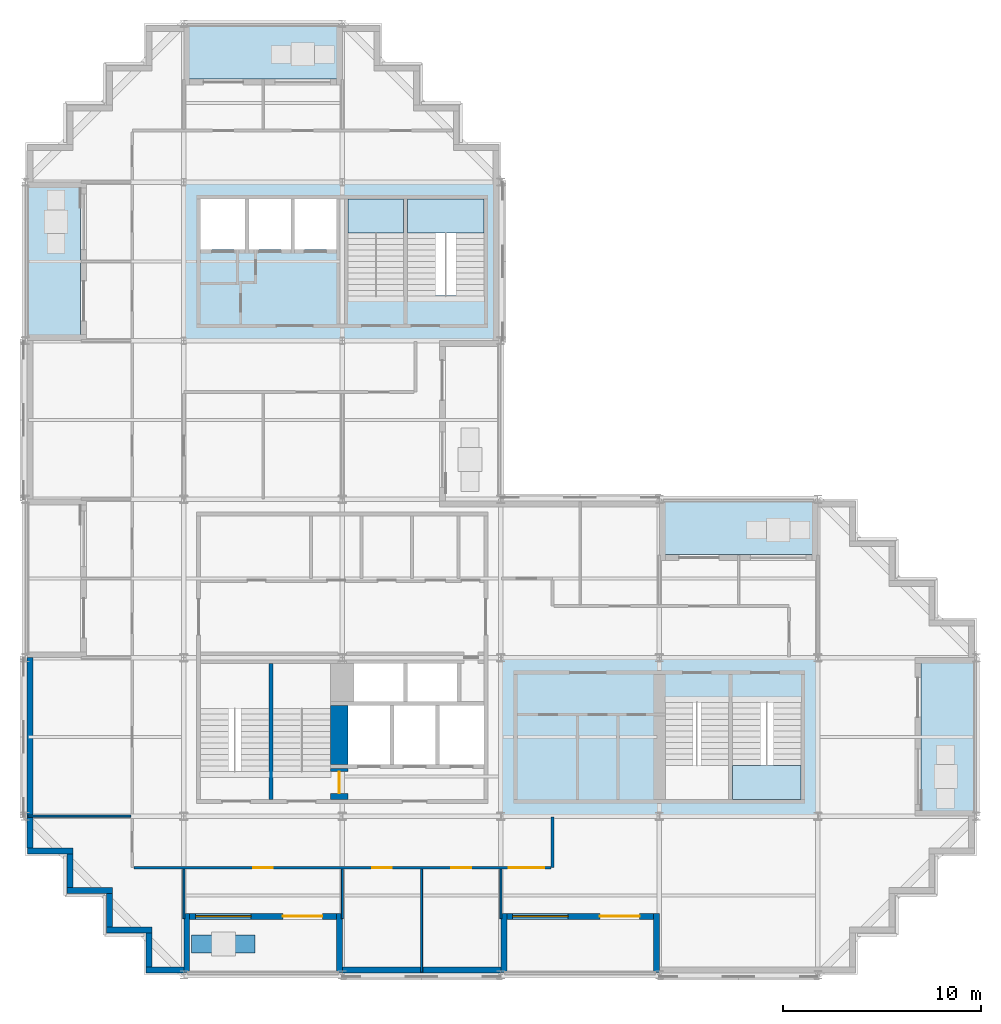
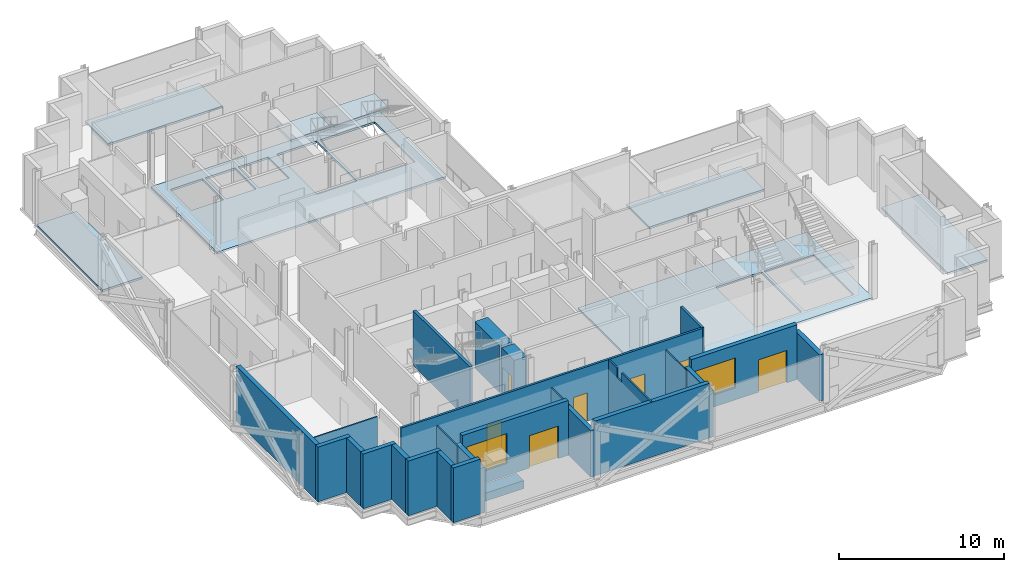
# One storey, part 4 of 13: 26 walls, 9 slabs, 7 doors, 2 windows, 9 openings, 3 elements without a shape of their own.
"""IFC4 building model written with IfcOpenShell, lengths in metres."""

from ifc_helpers import new_model, si_unit, direction, frame, frame_2d, origin, place, context, subcontext, project, spatial, polyline, rectangle, outline, extrude, material, layer, layer_set, type_object, element, fill, aggregate, save


model = new_model("IFC4")

# Units and contexts
model_context = context("Model", 3, precision=1e-05, world=origin(), true_north=direction((0.0, 1.0)))
body_context = subcontext(model_context, "Body", "Model", "MODEL_VIEW")
ifc_project = project(units=[si_unit("LENGTHUNIT", "METRE"), si_unit("AREAUNIT", "SQUARE_METRE"), si_unit("VOLUMEUNIT", "CUBIC_METRE"), si_unit("PLANEANGLEUNIT", "RADIAN"), si_unit("MASSUNIT", "GRAM", prefix="KILO")], contexts=[model_context])

# Site, building, storey
site_placement = place(None, origin())
site = spatial("IfcSite", under=ifc_project, at=site_placement, CompositionType="ELEMENT")
building_placement = place(site_placement, origin())
building = spatial("IfcBuilding", under=site, at=building_placement, Name="Immortelle Media Tower", CompositionType="ELEMENT")
storey_placement = place(building_placement, frame((0.0, 0.0, 174.60009765625)))
storey = spatial("IfcBuildingStorey", under=building, at=storey_placement, Name="L36", CompositionType="ELEMENT", Elevation=174.60009765625)

# Slabs
ifc_material_1 = material(Name="Concrete C50/60 composite deck", Category="concrete")
ifc_layer_1 = layer(ifc_material_1, 0.14990234375)
ifc_layer_set_1 = layer_set([ifc_layer_1], Name="Concrete C50/60 composite deck")
slab_type_1 = type_object("IfcSlabType", Name="Balcony slab 150", PredefinedType="FLOOR", material=ifc_layer_set_1)
slab_1_placement = place(storey_placement, frame((0.0, 0.0, -0.150146484375)))
element("IfcSlab", 1, at=slab_1_placement, inside=storey, type_object=slab_type_1, Name="Balcony slab L36 E0", PredefinedType="FLOOR", context=body_context, shape_type="SweptSolid", body=[
    extrude(outline(polyline([(48.0, 8.0), (48.0, 16.0), (45.199951171875, 16.0), (45.199951171875, 8.0), (48.0, 8.0)])), origin(), (0.0, 0.0, 1.0), 0.150146484375),
])
slab_2_placement = place(storey_placement, frame((0.0, 0.0, -0.150146484375)))
element("IfcSlab", 2, at=slab_2_placement, inside=storey, type_object=slab_type_1, Name="Balcony slab L36 N0", PredefinedType="FLOOR", context=body_context, shape_type="SweptSolid", body=[
    extrude(outline(polyline([(40.0, 21.199951171875), (40.0, 24.0), (32.0, 24.0), (32.0, 21.199951171875), (40.0, 21.199951171875)])), origin(), (0.0, 0.0, 1.0), 0.150146484375),
])
slab_3_placement = place(storey_placement, frame((0.0, 0.0, -0.150146484375)))
element("IfcSlab", 3, at=slab_3_placement, inside=storey, type_object=slab_type_1, Name="Balcony slab L36 N0", PredefinedType="FLOOR", context=body_context, shape_type="SweptSolid", body=[
    extrude(outline(polyline([(16.0, 45.199951171875), (16.0, 48.0), (8.0, 48.0), (8.0, 45.199951171875), (16.0, 45.199951171875)])), origin(), (0.0, 0.0, 1.0), 0.150146484375),
])
slab_4_placement = place(storey_placement, frame((0.0, 0.0, -0.150146484375)))
element("IfcSlab", 4, at=slab_4_placement, inside=storey, type_object=slab_type_1, Name="Balcony slab L36 W0", PredefinedType="FLOOR", context=body_context, shape_type="SweptSolid", body=[
    extrude(outline(polyline([(2.800048828125, 32.0), (2.800048828125, 40.0), (0.0, 40.0), (0.0, 32.0), (2.800048828125, 32.0)])), origin(), (0.0, 0.0, 1.0), 0.150146484375),
])
ifc_material_2 = material(Name="Concrete C50/60", Category="concrete")
ifc_layer_2 = layer(ifc_material_2, 0.14990234375)
ifc_layer_set_2 = layer_set([ifc_layer_2], Name="Concrete C50/60")
slab_type_2 = type_object("IfcSlabType", Name="Core floor slab 150", PredefinedType="FLOOR", material=ifc_layer_set_2)
slab_5_placement = place(storey_placement, frame((0.0, 0.0, -0.150146484375)))
element("IfcSlab", 5, at=slab_5_placement, inside=storey, type_object=slab_type_2, Name="Core floor SE", PredefinedType="FLOOR", context=body_context, shape_type="SweptSolid", body=[
    extrude(outline(polyline([(24.0, 8.0), (40.0, 8.0), (40.0, 16.0), (24.0, 16.0), (24.0, 8.0)]), holes=[polyline([(32.300048828125, 8.85009765625), (35.5, 8.85009765625), (35.5, 13.72998046875), (32.300048828125, 13.72998046875), (32.300048828125, 8.85009765625)]), polyline([(35.699951171875, 8.85009765625), (39.14990234375, 8.85009765625), (39.14990234375, 13.72998046875), (35.699951171875, 13.72998046875), (35.699951171875, 8.85009765625)])]), origin(), (0.0, 0.0, 1.0), 0.150146484375),
])
slab_6_placement = place(storey_placement, frame((0.0, 0.0, -0.150146484375)))
element("IfcSlab", 6, at=slab_6_placement, inside=storey, type_object=slab_type_2, Name="Core floor NW", PredefinedType="FLOOR", context=body_context, shape_type="SweptSolid", body=[
    extrude(outline(polyline([(8.0, 32.0), (24.0, 32.0), (24.0, 40.0), (8.0, 40.0), (8.0, 32.0)]), holes=[polyline([(8.85009765625, 36.60009765625), (11.10009765625, 36.60009765625), (11.10009765625, 39.14990234375), (8.85009765625, 39.14990234375), (8.85009765625, 36.60009765625)]), polyline([(11.300048828125, 36.60009765625), (13.39990234375, 36.60009765625), (13.39990234375, 39.14990234375), (11.300048828125, 39.14990234375), (11.300048828125, 36.60009765625)]), polyline([(13.60009765625, 36.60009765625), (15.699951171875, 36.60009765625), (15.699951171875, 39.14990234375), (13.60009765625, 39.14990234375), (13.60009765625, 36.60009765625)]), polyline([(16.300048828125, 34.27001953125), (19.10009765625, 34.27001953125), (19.10009765625, 39.14990234375), (16.300048828125, 39.14990234375), (16.300048828125, 34.27001953125)]), polyline([(19.300048828125, 34.27001953125), (23.14990234375, 34.27001953125), (23.14990234375, 39.14990234375), (19.300048828125, 39.14990234375), (19.300048828125, 34.27001953125)])]), origin(), (0.0, 0.0, 1.0), 0.150146484375),
])

# Stair, slab
ifc_material_3 = material(Name="Steel ASTM A992 Gr 50", Category="steel")
stair_type = type_object("IfcStairType", Name="Stair with flights", PredefinedType="DOUBLE_RETURN_STAIR", material=ifc_material_3)
stair_1_placement = place(storey_placement, origin())
stair_1 = element("IfcStair", 7, at=stair_1_placement, inside=storey, type_object=stair_type, Name="Exit stair SE2", PredefinedType="DOUBLE_RETURN_STAIR")
ifc_material_4 = material(Name="Steel ASTM A572 Gr 50", Category="steel")
ifc_layer_3 = layer(ifc_material_4, 0.199951171875)
ifc_layer_set_3 = layer_set([ifc_layer_3], Name="Steel ASTM A572 Gr 50")
slab_type_3 = type_object("IfcSlabType", Name="Stair landing 200", PredefinedType="LANDING", material=ifc_layer_set_3)
slab_7_placement = place(storey_placement, frame((0.0, 0.0, 1.89990234375)))
slab_7 = element("IfcSlab", 8, at=slab_7_placement, type_object=slab_type_3, Name="ST SE2 landing 1", PredefinedType="LANDING", context=body_context, shape_type="SweptSolid", body=[
    extrude(outline(polyline([(35.699951171875, 8.85009765625), (39.14990234375, 8.85009765625), (39.14990234375, 10.56005859375), (35.699951171875, 10.56005859375), (35.699951171875, 8.85009765625)])), origin(), (0.0, 0.0, 1.0), 0.199951171875),
])
aggregate(stair_1, [slab_7])

stair_2_placement = place(storey_placement, origin())
stair_2 = element("IfcStair", 9, at=stair_2_placement, inside=storey, type_object=stair_type, Name="Exit stair NW1", PredefinedType="DOUBLE_RETURN_STAIR")
slab_8_placement = place(storey_placement, frame((0.0, 0.0, 1.89990234375)))
slab_8 = element("IfcSlab", 10, at=slab_8_placement, type_object=slab_type_3, Name="ST NW1 landing 1", PredefinedType="LANDING", context=body_context, shape_type="SweptSolid", body=[
    extrude(outline(polyline([(16.300048828125, 37.43994140625), (19.10009765625, 37.43994140625), (19.10009765625, 39.14990234375), (16.300048828125, 39.14990234375), (16.300048828125, 37.43994140625)])), origin(), (0.0, 0.0, 1.0), 0.199951171875),
])
aggregate(stair_2, [slab_8])

stair_3_placement = place(storey_placement, origin())
stair_3 = element("IfcStair", 11, at=stair_3_placement, inside=storey, type_object=stair_type, Name="Exit stair NW2", PredefinedType="DOUBLE_RETURN_STAIR")
slab_9_placement = place(storey_placement, frame((0.0, 0.0, 1.89990234375)))
slab_9 = element("IfcSlab", 12, at=slab_9_placement, type_object=slab_type_3, Name="ST NW2 landing 1", PredefinedType="LANDING", context=body_context, shape_type="SweptSolid", body=[
    extrude(outline(polyline([(19.300048828125, 37.43994140625), (23.14990234375, 37.43994140625), (23.14990234375, 39.14990234375), (19.300048828125, 39.14990234375), (19.300048828125, 37.43994140625)])), origin(), (0.0, 0.0, 1.0), 0.199951171875),
])
aggregate(stair_3, [slab_9])

# Wall, openings, doors
ifc_material_5 = material(Name="Fire-rated gypsum board", Category="gypsum")
ifc_layer_4 = layer(ifc_material_5, 0.012451171875)
ifc_material_6 = material(Name="Steel ASTM A653 SS Gr 50 stud frame with mineral wool", Category="steel")
ifc_layer_5 = layer(ifc_material_6, 0.125)
ifc_layer_6 = layer(ifc_material_5, 0.012451171875)
ifc_layer_set_4 = layer_set([ifc_layer_4, ifc_layer_5, ifc_layer_6], Name="Steel ASTM A653 SS Gr 50 stud frame with mineral wool")
wall_type_1 = type_object("IfcWallType", Name="Corridor wall 150", PredefinedType="PARTITIONING", material=ifc_layer_set_4)
wall_1_placement = place(storey_placement, frame((5.47509765625, 5.39990234375, 0.0), z_axis=(0.0, 0.0, 1.0), x_axis=(1.0, 0.0, 0.0)))
wall_1 = element("IfcWall", 13, at=wall_1_placement, inside=storey, type_object=wall_type_1, Name="Partition L36-005", PredefinedType="PARTITIONING", context=body_context, shape_type="SweptSolid", body=[
    extrude(rectangle(XDim=21.0498046875, YDim=0.14990234375, at=frame_2d((10.52490234375, 0.0))), origin(), (0.0, 0.0, 1.0), 4.0498046875),
])
opening_1_placement = place(wall_1_placement, frame((13.02490234375, 0.0, 0.0), z_axis=(0.0, 0.0, 1.0), x_axis=(-1.0, 0.0, 0.0)))
opening_1 = element("IfcOpeningElement", 14, at=opening_1_placement, cuts=wall_1, Name="Opening C6-F001", PredefinedType="OPENING", context=body_context, shape_type="SweptSolid", body=[
    extrude(rectangle(XDim=1.0, YDim=2.10009765625, at=frame_2d((0.5, 1.050048828125))), frame((0.0, 0.0849609375, 0.0), z_axis=(0.0, -1.0, 0.0), x_axis=(1.0, 0.0, 0.0)), (0.0, 0.0, 1.0), 0.169921875),
])
opening_2_placement = place(wall_1_placement, frame((17.02490234375, 0.0, 0.0), z_axis=(0.0, 0.0, 1.0), x_axis=(-1.0, 0.0, 0.0)))
opening_2 = element("IfcOpeningElement", 15, at=opening_2_placement, cuts=wall_1, Name="Opening C6-F002", PredefinedType="OPENING", context=body_context, shape_type="SweptSolid", body=[
    extrude(rectangle(XDim=1.0, YDim=2.10009765625, at=frame_2d((0.5, 1.050048828125))), frame((0.0, 0.0849609375, 0.0), z_axis=(0.0, -1.0, 0.0), x_axis=(1.0, 0.0, 0.0)), (0.0, 0.0, 1.0), 0.169921875),
])
opening_3_placement = place(wall_1_placement, frame((7.02490234375, 0.0, 0.0), z_axis=(0.0, 0.0, 1.0), x_axis=(-1.0, 0.0, 0.0)))
opening_3 = element("IfcOpeningElement", 16, at=opening_3_placement, cuts=wall_1, Name="Opening C6-F003", PredefinedType="OPENING", context=body_context, shape_type="SweptSolid", body=[
    extrude(rectangle(XDim=1.0, YDim=2.10009765625, at=frame_2d((0.5, 1.050048828125))), frame((0.0, 0.0849609375, 0.0), z_axis=(0.0, -1.0, 0.0), x_axis=(1.0, 0.0, 0.0)), (0.0, 0.0, 1.0), 0.169921875),
])
opening_4_placement = place(wall_1_placement, frame((18.925048828125, 0.0, 0.0)))
opening_4 = element("IfcOpeningElement", 17, at=opening_4_placement, cuts=wall_1, Name="Opening C6-F005", PredefinedType="OPENING", context=body_context, shape_type="SweptSolid", body=[
    extrude(rectangle(XDim=1.800048828125, YDim=2.10009765625, at=frame_2d((0.89990234375, 1.050048828125))), frame((0.0, 0.0849609375, 0.0), z_axis=(0.0, -1.0, 0.0), x_axis=(1.0, 0.0, 0.0)), (0.0, 0.0, 1.0), 0.169921875),
])
ifc_material_7 = material(Name="Timber veneered door leaf, galvanised steel frame ASTM A653", Category="steel")
door_type_1 = type_object("IfcDoorType", Name="Room door 1000 x 2100", OperationType="NOTDEFINED", PredefinedType="DOOR", material=ifc_material_7)
door_1_placement = place(opening_1_placement, origin())
door_1 = element("IfcDoor", 18, at=door_1_placement, inside=storey, type_object=door_type_1, Name="Door C6-F001", OperationType="SINGLE_SWING_LEFT", OverallHeight=2.10009765625, OverallWidth=1.0, PredefinedType="DOOR", context=body_context, shape_type="SweptSolid", body=[
    extrude(rectangle(XDim=1.0, YDim=2.10009765625, at=frame_2d((0.5, 1.050048828125))), frame((0.0, 0.02490234375, 0.0), z_axis=(0.0, -1.0, 0.0), x_axis=(1.0, 0.0, 0.0)), (0.0, 0.0, 1.0), 0.050048828125),
])
fill(opening_1, door_1)
door_2_placement = place(opening_2_placement, origin())
door_2 = element("IfcDoor", 19, at=door_2_placement, inside=storey, type_object=door_type_1, Name="Door C6-F002", OperationType="SINGLE_SWING_LEFT", OverallHeight=2.10009765625, OverallWidth=1.0, PredefinedType="DOOR", context=body_context, shape_type="SweptSolid", body=[
    extrude(rectangle(XDim=1.0, YDim=2.10009765625, at=frame_2d((0.5, 1.050048828125))), frame((0.0, 0.02490234375, 0.0), z_axis=(0.0, -1.0, 0.0), x_axis=(1.0, 0.0, 0.0)), (0.0, 0.0, 1.0), 0.050048828125),
])
fill(opening_2, door_2)
door_3_placement = place(opening_3_placement, origin())
door_3 = element("IfcDoor", 20, at=door_3_placement, inside=storey, type_object=door_type_1, Name="Door C6-F003", OperationType="SINGLE_SWING_LEFT", OverallHeight=2.10009765625, OverallWidth=1.0, PredefinedType="DOOR", context=body_context, shape_type="SweptSolid", body=[
    extrude(rectangle(XDim=1.0, YDim=2.10009765625, at=frame_2d((0.5, 1.050048828125))), frame((0.0, 0.02490234375, 0.0), z_axis=(0.0, -1.0, 0.0), x_axis=(1.0, 0.0, 0.0)), (0.0, 0.0, 1.0), 0.050048828125),
])
fill(opening_3, door_3)
door_type_2 = type_object("IfcDoorType", Name="Room door 1800 x 2100", OperationType="DOUBLE_DOOR_SINGLE_SWING", PredefinedType="DOOR", material=ifc_material_7)
door_4_placement = place(opening_4_placement, origin())
door_4 = element("IfcDoor", 21, at=door_4_placement, inside=storey, type_object=door_type_2, Name="Door C6-F005", OperationType="DOUBLE_DOOR_SINGLE_SWING", OverallHeight=2.10009765625, OverallWidth=1.800048828125, PredefinedType="DOOR", context=body_context, shape_type="SweptSolid", body=[
    extrude(rectangle(XDim=1.800048828125, YDim=2.10009765625, at=frame_2d((0.89990234375, 1.050048828125))), frame((0.0, 0.02490234375, 0.0), z_axis=(0.0, -1.0, 0.0), x_axis=(1.0, 0.0, 0.0)), (0.0, 0.0, 1.0), 0.050048828125),
])
fill(opening_4, door_4)

# Walls
wall_2_placement = place(storey_placement, frame((26.60009765625, 5.39990234375, 0.0), z_axis=(0.0, 0.0, 1.0), x_axis=(0.0, 1.0, 0.0)))
element("IfcWall", 22, at=wall_2_placement, inside=storey, type_object=wall_type_1, Name="Partition L36-007", PredefinedType="PARTITIONING", context=body_context, shape_type="SweptSolid", body=[
    extrude(rectangle(XDim=2.570068359375, YDim=0.14990234375, at=frame_2d((1.28515625, 0.0))), origin(), (0.0, 0.0, 1.0), 4.0498046875),
])
ifc_material_8 = material(Name="Pale aluminium cladding panel", Category="aluminium")
ifc_layer_7 = layer(ifc_material_8, 0.030029296875)
ifc_layer_8 = layer(ifc_material_6, 0.257568359375)
ifc_material_9 = material(Name="Moisture-resistant gypsum board", Category="gypsum")
ifc_layer_9 = layer(ifc_material_9, 0.012451171875)
ifc_layer_set_5 = layer_set([ifc_layer_7, ifc_layer_8, ifc_layer_9], Name="Steel ASTM A653 SS Gr 50 stud frame with mineral wool")
wall_type_2 = type_object("IfcWallType", Name="Facade wall 300", PredefinedType="SOLIDWALL", material=ifc_layer_set_5)
wall_3_placement = place(storey_placement, frame((0.10009765625, 6.25, 0.0), z_axis=(0.0, 0.0, 1.0), x_axis=(1.0, 0.0, 0.0)))
element("IfcWall", 23, at=wall_3_placement, inside=storey, type_object=wall_type_2, Name="Facade wall L36 S0", PredefinedType="SOLIDWALL", context=body_context, shape_type="SweptSolid", body=[
    extrude(rectangle(XDim=2.2998046875, YDim=0.300048828125, at=frame_2d((1.14990234375, 0.0))), origin(), (0.0, 0.0, 1.0), 4.0498046875),
])
wall_4_placement = place(storey_placement, frame((2.25, 6.10009765625, 0.0), z_axis=(0.0, 0.0, 1.0), x_axis=(0.0, -1.0, 0.0)))
element("IfcWall", 24, at=wall_4_placement, inside=storey, type_object=wall_type_2, Name="Facade wall L36 W1", PredefinedType="SOLIDWALL", context=body_context, shape_type="SweptSolid", body=[
    extrude(rectangle(XDim=1.7001953125, YDim=0.300048828125, at=frame_2d((0.85009765625, 0.0))), origin(), (0.0, 0.0, 1.0), 4.0498046875),
])
wall_5_placement = place(storey_placement, frame((2.10009765625, 4.25, 0.0), z_axis=(0.0, 0.0, 1.0), x_axis=(1.0, 0.0, 0.0)))
element("IfcWall", 25, at=wall_5_placement, inside=storey, type_object=wall_type_2, Name="Facade wall L36 S2", PredefinedType="SOLIDWALL", context=body_context, shape_type="SweptSolid", body=[
    extrude(rectangle(XDim=2.2998046875, YDim=0.300048828125, at=frame_2d((1.14990234375, 0.0))), origin(), (0.0, 0.0, 1.0), 4.0498046875),
])
wall_6_placement = place(storey_placement, frame((4.25, 4.10009765625, 0.0), z_axis=(0.0, 0.0, 1.0), x_axis=(0.0, -1.0, 0.0)))
element("IfcWall", 26, at=wall_6_placement, inside=storey, type_object=wall_type_2, Name="Facade wall L36 W3", PredefinedType="SOLIDWALL", context=body_context, shape_type="SweptSolid", body=[
    extrude(rectangle(XDim=1.7001953125, YDim=0.300048828125, at=frame_2d((0.85009765625, 0.0))), origin(), (0.0, 0.0, 1.0), 4.0498046875),
])
wall_7_placement = place(storey_placement, frame((4.10009765625, 2.25, 0.0), z_axis=(0.0, 0.0, 1.0), x_axis=(1.0, 0.0, 0.0)))
element("IfcWall", 27, at=wall_7_placement, inside=storey, type_object=wall_type_2, Name="Facade wall L36 S4", PredefinedType="SOLIDWALL", context=body_context, shape_type="SweptSolid", body=[
    extrude(rectangle(XDim=2.2998046875, YDim=0.300048828125, at=frame_2d((1.14990234375, 0.0))), origin(), (0.0, 0.0, 1.0), 4.0498046875),
])
wall_8_placement = place(storey_placement, frame((6.25, 2.10009765625, 0.0), z_axis=(0.0, 0.0, 1.0), x_axis=(0.0, -1.0, 0.0)))
element("IfcWall", 28, at=wall_8_placement, inside=storey, type_object=wall_type_2, Name="Facade wall L36 W5", PredefinedType="SOLIDWALL", context=body_context, shape_type="SweptSolid", body=[
    extrude(rectangle(XDim=1.7001953125, YDim=0.300048828125, at=frame_2d((0.85009765625, 0.0))), origin(), (0.0, 0.0, 1.0), 4.0498046875),
])
wall_9_placement = place(storey_placement, frame((6.10009765625, 0.25, 0.0), z_axis=(0.0, 0.0, 1.0), x_axis=(1.0, 0.0, 0.0)))
element("IfcWall", 29, at=wall_9_placement, inside=storey, type_object=wall_type_2, Name="Facade wall L36 S6", PredefinedType="SOLIDWALL", context=body_context, shape_type="SweptSolid", body=[
    extrude(rectangle(XDim=1.89990234375, YDim=0.300048828125, at=frame_2d((0.949951171875, 0.0))), origin(), (0.0, 0.0, 1.0), 4.0498046875),
])

# Wall, openings, door, window
wall_10_placement = place(storey_placement, frame((8.300048828125, 2.949951171875, 0.0), z_axis=(0.0, 0.0, 1.0), x_axis=(1.0, 0.0, 0.0)))
wall_10 = element("IfcWall", 30, at=wall_10_placement, inside=storey, type_object=wall_type_2, Name="Loggia wall L36 S6", PredefinedType="SOLIDWALL", context=body_context, shape_type="SweptSolid", body=[
    extrude(rectangle(XDim=7.39990234375, YDim=0.300048828125, at=frame_2d((3.699951171875, 0.0))), origin(), (0.0, 0.0, 1.0), 4.0498046875),
])
opening_5_placement = place(wall_10_placement, frame((0.300048828125, 0.0, 0.89990234375)))
opening_5 = element("IfcOpeningElement", 31, at=opening_5_placement, cuts=wall_10, Name="Opening W1", PredefinedType="OPENING", context=body_context, shape_type="SweptSolid", body=[
    extrude(rectangle(XDim=2.800048828125, YDim=2.199951171875, at=frame_2d((1.39990234375, 1.10009765625))), frame((0.0, 0.159912109375, 0.0), z_axis=(0.0, -1.0, 0.0), x_axis=(1.0, 0.0, 0.0)), (0.0, 0.0, 1.0), 0.320068359375),
])
opening_6_placement = place(wall_10_placement, frame((4.699951171875, 0.0, 0.0)))
opening_6 = element("IfcOpeningElement", 32, at=opening_6_placement, cuts=wall_10, Name="Opening C6-E001", PredefinedType="OPENING", context=body_context, shape_type="SweptSolid", body=[
    extrude(rectangle(XDim=2.0, YDim=2.39990234375, at=frame_2d((1.0, 1.199951171875))), frame((0.0, 0.159912109375, 0.0), z_axis=(0.0, -1.0, 0.0), x_axis=(1.0, 0.0, 0.0)), (0.0, 0.0, 1.0), 0.320068359375),
])
ifc_material_10 = material(Name="Aluminium frame, glazed leaves", Category="aluminium")
door_type_3 = type_object("IfcDoorType", Name="Loggia door 2000 x 2400", OperationType="DOUBLE_DOOR_SINGLE_SWING", PredefinedType="DOOR", material=ifc_material_10)
door_5_placement = place(opening_6_placement, origin())
door_5 = element("IfcDoor", 33, at=door_5_placement, inside=storey, type_object=door_type_3, Name="Door C6-E001", OperationType="DOUBLE_DOOR_SINGLE_SWING", OverallHeight=2.39990234375, OverallWidth=2.0, PredefinedType="DOOR", context=body_context, shape_type="SweptSolid", body=[
    extrude(rectangle(XDim=2.0, YDim=2.39990234375, at=frame_2d((1.0, 1.199951171875))), frame((0.0, 0.02490234375, 0.0), z_axis=(0.0, -1.0, 0.0), x_axis=(1.0, 0.0, 0.0)), (0.0, 0.0, 1.0), 0.050048828125),
])
fill(opening_6, door_5)
ifc_material_11 = material(Name="Aluminium frame", Category="aluminium")
window_type = type_object("IfcWindowType", Name="Window 2800 x 2200", PartitioningType="SINGLE_PANEL", PredefinedType="WINDOW", material=ifc_material_11)
window_1_placement = place(opening_5_placement, origin())
window_1 = element("IfcWindow", 34, at=window_1_placement, inside=storey, type_object=window_type, Name="Window L36 L36-R6-B0", OverallHeight=2.199951171875, OverallWidth=2.800048828125, PartitioningType="SINGLE_PANEL", PredefinedType="WINDOW", context=body_context, shape_type="SweptSolid", body=[
    extrude(rectangle(XDim=2.800048828125, YDim=2.199951171875, at=frame_2d((1.39990234375, 1.10009765625))), frame((0.0, 0.030029296875, 0.0), z_axis=(0.0, -1.0, 0.0), x_axis=(1.0, 0.0, 0.0)), (0.0, 0.0, 1.0), 0.06005859375),
])
fill(opening_5, window_1)

# Walls
wall_11_placement = place(storey_placement, frame((8.14990234375, 0.10009765625, 0.0), z_axis=(0.0, 0.0, 1.0), x_axis=(0.0, 1.0, 0.0)))
element("IfcWall", 35, at=wall_11_placement, inside=storey, type_object=wall_type_2, Name="Loggia cheek wall L36 S", PredefinedType="SOLIDWALL", context=body_context, shape_type="SweptSolid", body=[
    extrude(rectangle(XDim=3.0, YDim=0.300048828125, at=frame_2d((1.5, 0.0))), origin(), (0.0, 0.0, 1.0), 3.352783203125),
])
wall_12_placement = place(storey_placement, frame((15.85009765625, 0.10009765625, 0.0), z_axis=(0.0, 0.0, 1.0), x_axis=(0.0, 1.0, 0.0)))
element("IfcWall", 36, at=wall_12_placement, inside=storey, type_object=wall_type_2, Name="Loggia cheek wall L36 S", PredefinedType="SOLIDWALL", context=body_context, shape_type="SweptSolid", body=[
    extrude(rectangle(XDim=3.0, YDim=0.300048828125, at=frame_2d((1.5, 0.0))), origin(), (0.0, 0.0, 1.0), 3.43701171875),
])
wall_13_placement = place(storey_placement, frame((16.0, 0.25, 0.0), z_axis=(0.0, 0.0, 1.0), x_axis=(1.0, 0.0, 0.0)))
element("IfcWall", 37, at=wall_13_placement, inside=storey, type_object=wall_type_2, Name="Facade wall L36 S6", PredefinedType="SOLIDWALL", context=body_context, shape_type="SweptSolid", body=[
    extrude(rectangle(XDim=8.0, YDim=0.300048828125, at=frame_2d((4.0, 0.0))), origin(), (0.0, 0.0, 1.0), 4.0498046875),
])

# Wall, openings, door, window
wall_14_placement = place(storey_placement, frame((24.300048828125, 2.949951171875, 0.0), z_axis=(0.0, 0.0, 1.0), x_axis=(1.0, 0.0, 0.0)))
wall_14 = element("IfcWall", 38, at=wall_14_placement, inside=storey, type_object=wall_type_2, Name="Loggia wall L36 S6", PredefinedType="SOLIDWALL", context=body_context, shape_type="SweptSolid", body=[
    extrude(rectangle(XDim=7.39990234375, YDim=0.300048828125, at=frame_2d((3.699951171875, 0.0))), origin(), (0.0, 0.0, 1.0), 4.0498046875),
])
opening_7_placement = place(wall_14_placement, frame((0.300048828125, 0.0, 0.89990234375)))
opening_7 = element("IfcOpeningElement", 39, at=opening_7_placement, cuts=wall_14, Name="Opening W1", PredefinedType="OPENING", context=body_context, shape_type="SweptSolid", body=[
    extrude(rectangle(XDim=2.800048828125, YDim=2.199951171875, at=frame_2d((1.39990234375, 1.10009765625))), frame((0.0, 0.159912109375, 0.0), z_axis=(0.0, -1.0, 0.0), x_axis=(1.0, 0.0, 0.0)), (0.0, 0.0, 1.0), 0.320068359375),
])
opening_8_placement = place(wall_14_placement, frame((4.699951171875, 0.0, 0.0)))
opening_8 = element("IfcOpeningElement", 40, at=opening_8_placement, cuts=wall_14, Name="Opening C6-E002", PredefinedType="OPENING", context=body_context, shape_type="SweptSolid", body=[
    extrude(rectangle(XDim=2.0, YDim=2.39990234375, at=frame_2d((1.0, 1.199951171875))), frame((0.0, 0.159912109375, 0.0), z_axis=(0.0, -1.0, 0.0), x_axis=(1.0, 0.0, 0.0)), (0.0, 0.0, 1.0), 0.320068359375),
])
door_6_placement = place(opening_8_placement, origin())
door_6 = element("IfcDoor", 41, at=door_6_placement, inside=storey, type_object=door_type_3, Name="Door C6-E002", OperationType="DOUBLE_DOOR_SINGLE_SWING", OverallHeight=2.39990234375, OverallWidth=2.0, PredefinedType="DOOR", context=body_context, shape_type="SweptSolid", body=[
    extrude(rectangle(XDim=2.0, YDim=2.39990234375, at=frame_2d((1.0, 1.199951171875))), frame((0.0, 0.02490234375, 0.0), z_axis=(0.0, -1.0, 0.0), x_axis=(1.0, 0.0, 0.0)), (0.0, 0.0, 1.0), 0.050048828125),
])
fill(opening_8, door_6)
window_2_placement = place(opening_7_placement, origin())
window_2 = element("IfcWindow", 42, at=window_2_placement, inside=storey, type_object=window_type, Name="Window L36 L36-R6-B2", OverallHeight=2.199951171875, OverallWidth=2.800048828125, PartitioningType="SINGLE_PANEL", PredefinedType="WINDOW", context=body_context, shape_type="SweptSolid", body=[
    extrude(rectangle(XDim=2.800048828125, YDim=2.199951171875, at=frame_2d((1.39990234375, 1.10009765625))), frame((0.0, 0.030029296875, 0.0), z_axis=(0.0, -1.0, 0.0), x_axis=(1.0, 0.0, 0.0)), (0.0, 0.0, 1.0), 0.06005859375),
])
fill(opening_7, window_2)

# Walls
for number, where, z_axis, x_axis, name in (
    (43, (24.14990234375, 0.10009765625, 0.0), (0.0, 0.0, 1.0), (0.0, 1.0, 0.0), "Loggia cheek wall L36 S"),
    (44, (31.85009765625, 0.10009765625, 0.0), (0.0, 0.0, 1.0), (0.0, 1.0, 0.0), "Loggia cheek wall L36 S"),
):
    element("IfcWall", number, at=place(storey_placement, frame(where, z_axis=z_axis, x_axis=x_axis)), inside=storey, type_object=wall_type_2, Name=name, PredefinedType="SOLIDWALL", context=body_context, shape_type="SweptSolid", body=[
        extrude(rectangle(XDim=3.0, YDim=0.300048828125, at=frame_2d((1.5, 0.0))), origin(), (0.0, 0.0, 1.0), 3.43701171875),
    ])
wall_15_placement = place(storey_placement, frame((0.25, 16.0, 0.0), z_axis=(0.0, 0.0, 1.0), x_axis=(0.0, -1.0, 0.0)))
element("IfcWall", 45, at=wall_15_placement, inside=storey, type_object=wall_type_2, Name="Facade wall L36 W35", PredefinedType="SOLIDWALL", context=body_context, shape_type="SweptSolid", body=[
    extrude(rectangle(XDim=9.60009765625, YDim=0.300048828125, at=frame_2d((4.800048828125, 0.0))), origin(), (0.0, 0.0, 1.0), 4.0498046875),
])
ifc_material_12 = material(Name="Gypsum board", Category="gypsum")
ifc_layer_10 = layer(ifc_material_12, 0.012451171875)
ifc_layer_11 = layer(ifc_material_6, 0.074951171875)
ifc_layer_12 = layer(ifc_material_12, 0.012451171875)
ifc_layer_set_6 = layer_set([ifc_layer_10, ifc_layer_11, ifc_layer_12], Name="Steel ASTM A653 SS Gr 50 stud frame with mineral wool")
wall_type_3 = type_object("IfcWallType", Name="Partition 100", PredefinedType="PARTITIONING", material=ifc_layer_set_6)
wall_16_placement = place(storey_placement, frame((20.0, 0.1298828125, 0.0), z_axis=(0.0, 0.0, 1.0), x_axis=(0.0, 1.0, 0.0)))
element("IfcWall", 46, at=wall_16_placement, inside=storey, type_object=wall_type_3, Name="Partition L36-001", PredefinedType="PARTITIONING", context=body_context, shape_type="SweptSolid", body=[
    extrude(outline(polyline([(0.0, 0.0), (5.195068359375, 0.0), (5.195068359375, 4.0498046875), (4.169921875, 4.0498046875), (4.16796875, 3.35400390625), (3.572021484375, 3.35400390625), (3.570068359375, 4.0498046875), (0.0, 4.0498046875), (0.0, 0.0)])), frame((0.0, 0.050048828125, 0.0), z_axis=(0.0, -1.0, 0.0), x_axis=(1.0, 0.0, 0.0)), (0.0, 0.0, 1.0), 0.10009765625),
])
for number, where, z_axis, x_axis, name in (
    (47, (8.0, 2.830078125, 0.0), (0.0, 0.0, 1.0), (0.0, 1.0, 0.0), "Partition L36-002"),
    (48, (16.0, 2.830078125, 0.0), (0.0, 0.0, 1.0), (0.0, 1.0, 0.0), "Partition L36-003"),
    (49, (24.0, 2.830078125, 0.0), (0.0, 0.0, 1.0), (0.0, 1.0, 0.0), "Partition L36-004"),
):
    element("IfcWall", number, at=place(storey_placement, frame(where, z_axis=z_axis, x_axis=x_axis)), inside=storey, type_object=wall_type_3, Name=name, PredefinedType="PARTITIONING", context=body_context, shape_type="SweptSolid", body=[
        extrude(rectangle(XDim=2.494873046875, YDim=0.10009765625, at=frame_2d((1.24755859375, 0.0))), origin(), (0.0, 0.0, 1.0), 3.35400390625),
    ])
wall_17_placement = place(storey_placement, frame((0.1298828125, 8.0, 0.0), z_axis=(0.0, 0.0, 1.0), x_axis=(1.0, 0.0, 0.0)))
element("IfcWall", 50, at=wall_17_placement, inside=storey, type_object=wall_type_3, Name="Partition L36-008", PredefinedType="PARTITIONING", context=body_context, shape_type="SweptSolid", body=[
    extrude(rectangle(XDim=5.195068359375, YDim=0.10009765625, at=frame_2d((2.59765625, 0.0))), origin(), (0.0, 0.0, 1.0), 3.35400390625),
])
ifc_layer_13 = layer(ifc_material_8, 0.0029296875)
ifc_material_13 = material(Name="Steel ASTM A572 Gr 50 planter shell", Category="steel")
ifc_layer_14 = layer(ifc_material_13, 0.011962890625)
ifc_material_14 = material(Name="Planting substrate", Category="soil")
ifc_layer_15 = layer(ifc_material_14, 0.873046875)
ifc_layer_16 = layer(ifc_material_13, 0.011962890625)
ifc_layer_set_7 = layer_set([ifc_layer_13, ifc_layer_14, ifc_layer_15, ifc_layer_16], Name="Steel ASTM A572 Gr 50 planter shell")
wall_type_4 = type_object("IfcWallType", Name="Planter wall 900", PredefinedType="SOLIDWALL", material=ifc_layer_set_7)
wall_18_placement = place(storey_placement, frame((8.39990234375, 1.550048828125, 0.0), z_axis=(0.0, 0.0, 1.0), x_axis=(1.0, 0.0, 0.0)))
element("IfcWall", 51, at=wall_18_placement, inside=storey, type_object=wall_type_4, Name="Planter L36 S0", PredefinedType="SOLIDWALL", context=body_context, shape_type="SweptSolid", body=[
    extrude(rectangle(XDim=3.2001953125, YDim=0.89990234375, at=frame_2d((1.60009765625, 0.0))), origin(), (0.0, 0.0, 1.0), 0.599853515625),
])
ifc_material_15 = material(Name="Concrete C60", Category="concrete")
ifc_layer_17 = layer(ifc_material_15, 0.199951171875)
ifc_layer_set_8 = layer_set([ifc_layer_17], Name="Concrete C60")
wall_type_5 = type_object("IfcWallType", Name="Stair shaft wall 200", PredefinedType="PARTITIONING", material=ifc_layer_set_8)
wall_19_placement = place(storey_placement, frame((12.39990234375, 8.85009765625, 0.0), z_axis=(0.0, 0.0, 1.0), x_axis=(0.0, 1.0, 0.0)))
element("IfcWall", 52, at=wall_19_placement, inside=storey, type_object=wall_type_5, Name="Stair shaft wall SW", PredefinedType="PARTITIONING", context=body_context, shape_type="SweptSolid", body=[
    extrude(rectangle(XDim=6.849853515625, YDim=0.199951171875, at=frame_2d((3.4248046875, 0.0))), origin(), (0.0, 0.0, 1.0), 4.0498046875),
])

# Wall, opening, door
ifc_layer_18 = layer(ifc_material_15, 0.89990234375)
ifc_layer_set_9 = layer_set([ifc_layer_18], Name="Concrete C60")
wall_type_6 = type_object("IfcWallType", Name="Stair shaft wall 900", PredefinedType="PARTITIONING", material=ifc_layer_set_9)
wall_20_placement = place(storey_placement, frame((15.85009765625, 8.85009765625, 0.0), z_axis=(0.0, 0.0, 1.0), x_axis=(0.0, 1.0, 0.0)))
wall_20 = element("IfcWall", 53, at=wall_20_placement, inside=storey, type_object=wall_type_6, Name="Stair shaft wall SW", PredefinedType="PARTITIONING", context=body_context, shape_type="SweptSolid", body=[
    extrude(rectangle(XDim=1.5498046875, YDim=0.89990234375, at=frame_2d((0.77490234375, 0.0))), origin(), (0.0, 0.0, 1.0), 3.44189453125),
])
opening_9_placement = place(wall_20_placement, frame((0.300048828125, 0.0, 0.0)))
opening_9 = element("IfcOpeningElement", 54, at=opening_9_placement, cuts=wall_20, Name="Opening C6-K006", PredefinedType="OPENING", context=body_context, shape_type="SweptSolid", body=[
    extrude(rectangle(XDim=1.10009765625, YDim=2.10009765625, at=frame_2d((0.550048828125, 1.050048828125))), frame((0.0, 0.4599609375, 0.0), z_axis=(0.0, -1.0, 0.0), x_axis=(1.0, 0.0, 0.0)), (0.0, 0.0, 1.0), 0.919921875),
])
ifc_material_16 = material(Name="Galvanised steel door leaf and frame ASTM A653", Category="steel")
door_type_4 = type_object("IfcDoorType", Name="Stair lobby door 1100 x 2100", OperationType="NOTDEFINED", PredefinedType="NOTDEFINED", material=ifc_material_16)
door_7_placement = place(opening_9_placement, origin())
door_7 = element("IfcDoor", 55, at=door_7_placement, inside=storey, type_object=door_type_4, Name="Stair lobby C6-K006", OperationType="SINGLE_SWING_LEFT", OverallHeight=2.10009765625, OverallWidth=1.10009765625, PredefinedType="NOTDEFINED", context=body_context, shape_type="SweptSolid", body=[
    extrude(rectangle(XDim=1.10009765625, YDim=2.10009765625, at=frame_2d((0.550048828125, 1.050048828125))), frame((0.0, 0.02490234375, 0.0), z_axis=(0.0, -1.0, 0.0), x_axis=(1.0, 0.0, 0.0)), (0.0, 0.0, 1.0), 0.050048828125),
])
fill(opening_9, door_7)

# Wall
wall_21_placement = place(storey_placement, frame((15.85009765625, 10.60009765625, 0.0), z_axis=(0.0, 0.0, 1.0), x_axis=(0.0, 1.0, 0.0)))
element("IfcWall", 56, at=wall_21_placement, inside=storey, type_object=wall_type_6, Name="Stair shaft wall SW", PredefinedType="PARTITIONING", context=body_context, shape_type="SweptSolid", body=[
    extrude(rectangle(XDim=3.0, YDim=0.89990234375, at=frame_2d((1.5, 0.0))), origin(), (0.0, 0.0, 1.0), 3.44189453125),
])

save(model, "model.ifc")
